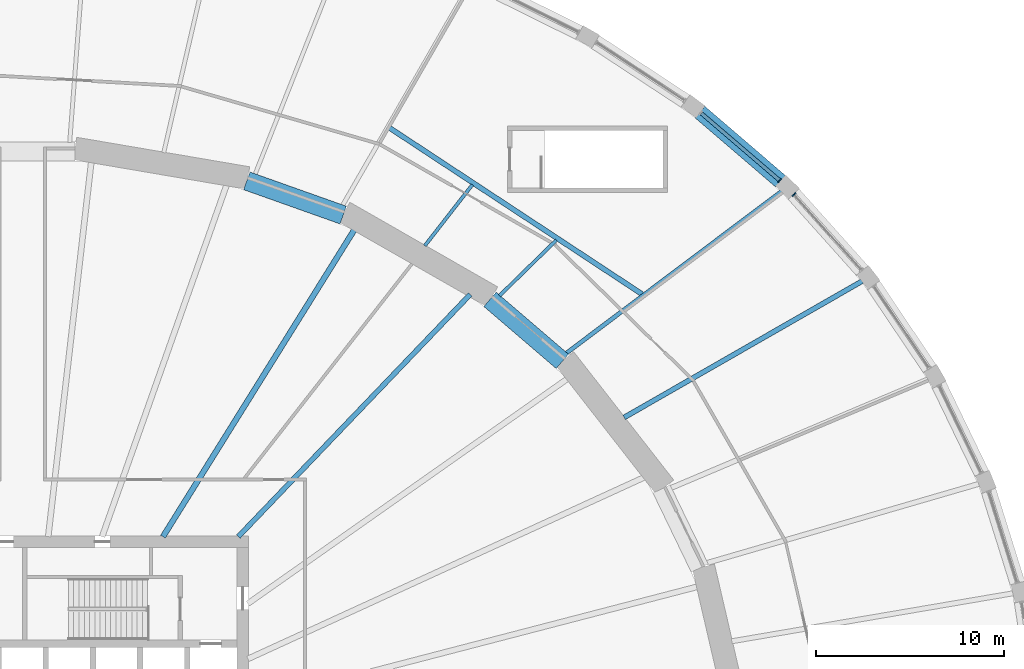
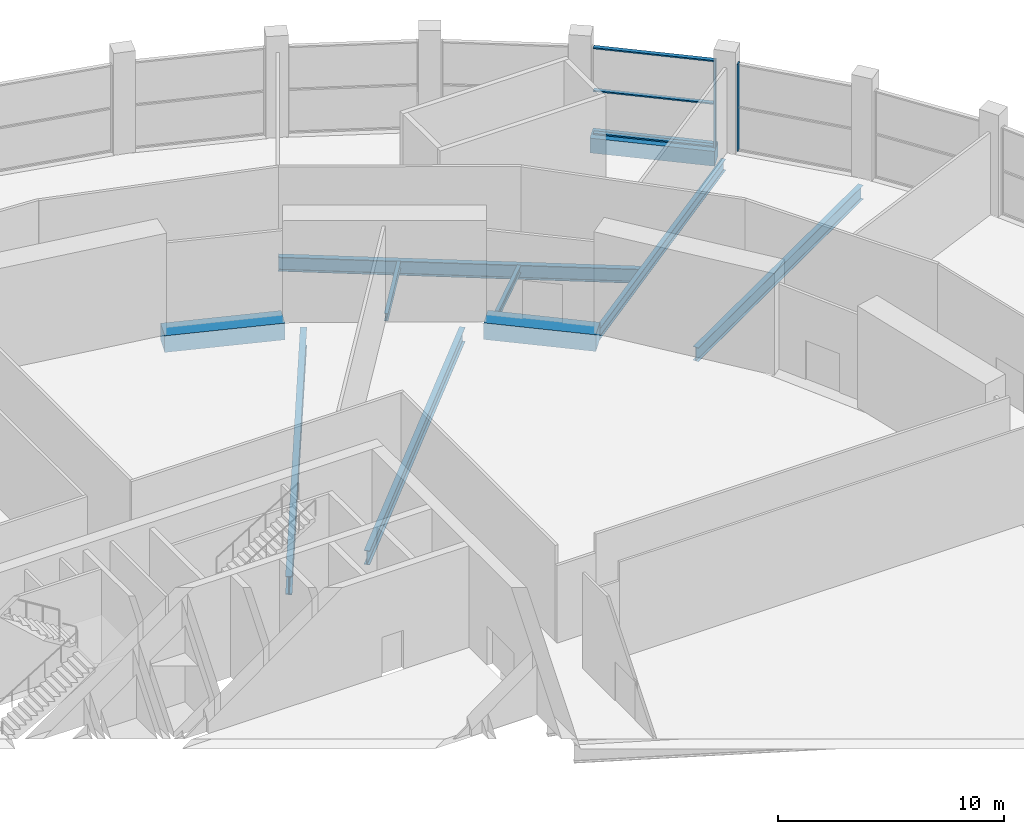
# One storey, part 15 of 26: 10 beams, 5 members, 2 elements without a shape of their own.
"""IFC4 building model written with IfcOpenShell, lengths in metres."""

from ifc_helpers import new_model, si_unit, direction, frame, origin, origin_2d, place, context, subcontext, project, spatial, rectangle, i_section, extrude, material, material_profile, profile_set, type_object, element, aggregate, save


model = new_model("IFC4")

# Units and contexts
model_context = context("Model", 3, precision=1e-05, world=origin(), true_north=direction((0.0, 1.0)))
body_context = subcontext(model_context, "Body", "Model", "MODEL_VIEW")
ifc_project = project(units=[si_unit("LENGTHUNIT", "METRE"), si_unit("AREAUNIT", "SQUARE_METRE"), si_unit("VOLUMEUNIT", "CUBIC_METRE"), si_unit("PLANEANGLEUNIT", "RADIAN"), si_unit("MASSUNIT", "GRAM", prefix="KILO")], contexts=[model_context])

# Site, building, storey
site_placement = place(None, origin())
site = spatial("IfcSite", under=ifc_project, at=site_placement, CompositionType="ELEMENT")
building_placement = place(site_placement, origin())
building = spatial("IfcBuilding", under=site, at=building_placement, Name="Halqa Exchange Tower", CompositionType="ELEMENT")
storey_placement = place(building_placement, frame((0.0, 0.0, 18.0)))
storey = spatial("IfcBuildingStorey", under=building, at=storey_placement, Name="L03", CompositionType="ELEMENT", Elevation=18.0)

# Curtain wall, member
ifc_material_1 = material(Name="Anodised aluminium and clear glass", Category="aluminium")
curtain_wall_type = type_object("IfcCurtainWallType", Name="Exchange hall glazing", PredefinedType="NOTDEFINED", material=ifc_material_1)
curtain_wall_1_placement = place(storey_placement, origin())
curtain_wall_1 = element("IfcCurtainWall", 1, at=curtain_wall_1_placement, inside=storey, type_object=curtain_wall_type, Name="Exchange hall glazing run P5", PredefinedType="NOTDEFINED")
ifc_material_2 = material(Name="Anodised aluminium", Category="aluminium")
ifc_material_profile_1 = material_profile(ifc_material_2, rectangle(XDim=0.25, YDim=0.070068359375, at=origin_2d()), Name="AL 70x250")
ifc_profile_set_1 = profile_set([ifc_material_profile_1], Name="Anodised aluminium")
member_type_1 = type_object("IfcMemberType", Name="Exchange hall glazing mullion 70 x 250", PredefinedType="MULLION", material=ifc_profile_set_1)
member_1_placement = place(storey_placement, frame((40.9560546875, 30.12890625, 0.0), z_axis=(0.0, 0.0, 1.0), x_axis=(-0.74514769466, -0.666899477539, 0.0)))
member_1 = element("IfcMember", 2, at=member_1_placement, type_object=member_type_1, Name="P5 mullion 2", PredefinedType="MULLION", context=body_context, shape_type="SweptSolid", body=[
    extrude(rectangle(XDim=0.25, YDim=0.070068359375, at=origin_2d()), origin(), (0.0, 0.0, 1.0), 4.699951171875),
])
aggregate(curtain_wall_1, [member_1])

# Curtain wall, members
curtain_wall_2_placement = place(storey_placement, origin())
curtain_wall_2 = element("IfcCurtainWall", 3, at=curtain_wall_2_placement, inside=storey, type_object=curtain_wall_type, Name="Exchange hall glazing run P6", PredefinedType="NOTDEFINED")
member_2_placement = place(storey_placement, frame((40.193115234375, 30.8759765625, 0.0), z_axis=(0.0, 0.0, 1.0), x_axis=(-0.650910929175, -0.759154109704, 0.0)))
member_2 = element("IfcMember", 4, at=member_2_placement, type_object=member_type_1, Name="P6 mullion 1", PredefinedType="MULLION", context=body_context, shape_type="SweptSolid", body=[
    extrude(rectangle(XDim=0.25, YDim=0.070068359375, at=origin_2d()), origin(), (0.0, 0.0, 1.0), 4.699951171875),
])
ifc_material_profile_2 = material_profile(ifc_material_2, rectangle(XDim=0.199951171875, YDim=0.070068359375, at=origin_2d()), Name="AL 70x200")
ifc_profile_set_2 = profile_set([ifc_material_profile_2], Name="Anodised aluminium")
member_type_2 = type_object("IfcMemberType", Name="Exchange hall glazing transom 70 x 200", PredefinedType="USERDEFINED", material=ifc_profile_set_2)
member_3_placement = place(storey_placement, frame((40.16650390625, 30.898681640625, 0.034912109375), z_axis=(-0.759142529619, 0.650924434727, 0.0), x_axis=(-0.650924434727, -0.759142529619, 0.0)))
member_3 = element("IfcMember", 5, at=member_3_placement, type_object=member_type_2, Name="P6 transom 1.1", ObjectType="TRANSOM", PredefinedType="USERDEFINED", context=body_context, shape_type="SweptSolid", body=[
    extrude(rectangle(XDim=0.199951171875, YDim=0.070068359375, at=origin_2d()), origin(), (0.0, 0.0, 1.0), 5.439208984375),
])
member_4_placement = place(storey_placement, frame((40.16650390625, 30.898681640625, 2.35009765625), z_axis=(-0.759142529619, 0.650924434727, 0.0), x_axis=(-0.650924434727, -0.759142529619, 0.0)))
member_4 = element("IfcMember", 6, at=member_4_placement, type_object=member_type_2, Name="P6 transom 1.2", ObjectType="TRANSOM", PredefinedType="USERDEFINED", context=body_context, shape_type="SweptSolid", body=[
    extrude(rectangle(XDim=0.199951171875, YDim=0.070068359375, at=origin_2d()), origin(), (0.0, 0.0, 1.0), 5.439208984375),
])
member_5_placement = place(storey_placement, frame((40.16650390625, 30.898681640625, 4.6650390625), z_axis=(-0.759142529619, 0.650924434727, 0.0), x_axis=(-0.650924434727, -0.759142529619, 0.0)))
member_5 = element("IfcMember", 7, at=member_5_placement, type_object=member_type_2, Name="P6 transom 1.3", ObjectType="TRANSOM", PredefinedType="USERDEFINED", context=body_context, shape_type="SweptSolid", body=[
    extrude(rectangle(XDim=0.199951171875, YDim=0.070068359375, at=origin_2d()), origin(), (0.0, 0.0, 1.0), 5.439208984375),
])
aggregate(curtain_wall_2, [member_2, member_3, member_4, member_5])

# Beams
ifc_material_3 = material(Name="Steel S355", Category="steel")
ifc_material_profile_3 = material_profile(ifc_material_3, i_section(OverallWidth=0.300048828125, OverallDepth=0.989990234375, WebThickness=0.0166015625, FlangeThickness=0.031005859375, FilletRadius=0.030029296875, at=origin_2d()), Name="HEA 1000")
ifc_profile_set_3 = profile_set([ifc_material_profile_3], Name="Steel S355")
beam_type_1 = type_object("IfcBeamType", Name="Floor beam HEA 1000", PredefinedType="BEAM", material=ifc_profile_set_3)
beam_1_placement = place(storey_placement, frame((7.46533203125, 11.971435546875, -0.844970703125), z_axis=(0.529145823441, 0.848530905468, 0.0), x_axis=(-0.848530905468, 0.529145823441, 0.0)))
element("IfcBeam", 8, at=beam_1_placement, inside=storey, type_object=beam_type_1, Name="Radial beam 6", PredefinedType="BEAM", context=body_context, shape_type="SweptSolid", body=[
    extrude(i_section(OverallWidth=0.300048828125, OverallDepth=0.989990234375, WebThickness=0.0166015625, FlangeThickness=0.031005859375, FilletRadius=0.030029296875, at=origin_2d()), origin(), (0.0, 0.0, 1.0), 19.27294921875),
])
ifc_material_profile_4 = material_profile(ifc_material_3, i_section(OverallWidth=0.179931640625, OverallDepth=0.39990234375, WebThickness=0.008544921875, FlangeThickness=0.013427734375, FilletRadius=0.02099609375, at=origin_2d()), Name="IPE 400")
ifc_profile_set_4 = profile_set([ifc_material_profile_4], Name="Steel S355")
beam_type_2 = type_object("IfcBeamType", Name="Floor beam IPE 400", PredefinedType="BEAM", material=ifc_profile_set_4)
beam_2_placement = place(storey_placement, frame((25.322265625, 24.757080078125, -0.550048828125), z_axis=(0.715007310884, 0.699116975464, 0.0), x_axis=(-0.699116975464, 0.715007310884, 0.0)))
element("IfcBeam", 9, at=beam_2_placement, inside=storey, type_object=beam_type_2, Name="Radial beam 7a", PredefinedType="BEAM", context=body_context, shape_type="SweptSolid", body=[
    extrude(i_section(OverallWidth=0.179931640625, OverallDepth=0.39990234375, WebThickness=0.008544921875, FlangeThickness=0.013427734375, FilletRadius=0.02099609375, at=origin_2d()), origin(), (0.0, 0.0, 1.0), 4.22509765625),
])
beam_3_placement = place(storey_placement, frame((21.3603515625, 27.40966796875, -0.550048828125), z_axis=(0.614706293657, 0.788756091919, 0.0), x_axis=(-0.788756091919, 0.614706293657, 0.0)))
element("IfcBeam", 10, at=beam_3_placement, inside=storey, type_object=beam_type_2, Name="Radial beam 8a", PredefinedType="BEAM", context=body_context, shape_type="SweptSolid", body=[
    extrude(i_section(OverallWidth=0.179931640625, OverallDepth=0.39990234375, WebThickness=0.008544921875, FlangeThickness=0.013427734375, FilletRadius=0.02099609375, at=origin_2d()), origin(), (0.0, 0.0, 1.0), 4.104248046875),
])
ifc_material_profile_5 = material_profile(ifc_material_3, i_section(OverallWidth=0.219970703125, OverallDepth=0.60009765625, WebThickness=0.011962890625, FlangeThickness=0.01904296875, FilletRadius=0.02392578125, at=origin_2d()), Name="IPE 600")
ifc_profile_set_5 = profile_set([ifc_material_profile_5], Name="Steel S355")
beam_type_3 = type_object("IfcBeamType", Name="Floor beam IPE 600", PredefinedType="BEAM", material=ifc_profile_set_5)
beam_4_placement = place(storey_placement, frame((28.875732421875, 21.71240234375, -0.64990234375), z_axis=(0.799257291391, 0.600989003359, 0.0), x_axis=(-0.600989003359, 0.799257291391, 0.0)))
element("IfcBeam", 11, at=beam_4_placement, inside=storey, type_object=beam_type_3, Name="Radial beam 6", PredefinedType="BEAM", context=body_context, shape_type="SweptSolid", body=[
    extrude(i_section(OverallWidth=0.219970703125, OverallDepth=0.60009765625, WebThickness=0.011962890625, FlangeThickness=0.01904296875, FilletRadius=0.02392578125, at=origin_2d()), origin(), (0.0, 0.0, 1.0), 14.291259765625),
])
ifc_material_profile_6 = material_profile(ifc_material_3, i_section(OverallWidth=0.264892578125, OverallDepth=0.7529296875, WebThickness=0.01318359375, FlangeThickness=0.01708984375, FilletRadius=0.01708984375, at=origin_2d()), Name="IPE 750x147")
ifc_profile_set_6 = profile_set([ifc_material_profile_6], Name="Steel S355")
beam_type_4 = type_object("IfcBeamType", Name="Floor beam IPE 750x147", PredefinedType="BEAM", material=ifc_profile_set_6)
beam_5_placement = place(storey_placement, frame((31.942626953125, 18.300048828125, -0.7265625), z_axis=(0.867691436398, 0.497103179633, 0.0), x_axis=(-0.497103179633, 0.867691436398, 0.0)))
element("IfcBeam", 12, at=beam_5_placement, inside=storey, type_object=beam_type_4, Name="Radial beam 5", PredefinedType="BEAM", context=body_context, shape_type="SweptSolid", body=[
    extrude(i_section(OverallWidth=0.264892578125, OverallDepth=0.7529296875, WebThickness=0.01318359375, FlangeThickness=0.01708984375, FilletRadius=0.01708984375, at=origin_2d()), origin(), (0.0, 0.0, 1.0), 14.555908203125),
])
ifc_material_profile_7 = material_profile(ifc_material_3, i_section(OverallWidth=0.26806640625, OverallDepth=0.77001953125, WebThickness=0.015625, FlangeThickness=0.025390625, FilletRadius=0.01708984375, at=origin_2d()), Name="IPE 750x196")
ifc_profile_set_7 = profile_set([ifc_material_profile_7], Name="Steel S355")
beam_type_5 = type_object("IfcBeamType", Name="Floor beam IPE 750x196", PredefinedType="BEAM", material=ifc_profile_set_7)
beam_6_placement = place(storey_placement, frame((11.46240234375, 11.9716796875, -0.735107421875), z_axis=(0.6915763718, 0.722303344841, 0.0), x_axis=(-0.722303344841, 0.6915763718, 0.0)))
element("IfcBeam", 13, at=beam_6_placement, inside=storey, type_object=beam_type_5, Name="Radial beam 5", PredefinedType="BEAM", context=body_context, shape_type="SweptSolid", body=[
    extrude(i_section(OverallWidth=0.26806640625, OverallDepth=0.77001953125, WebThickness=0.015625, FlangeThickness=0.025390625, FilletRadius=0.01708984375, at=origin_2d()), origin(), (0.0, 0.0, 1.0), 17.7978515625),
])
beam_7_placement = place(storey_placement, frame((32.896728515625, 24.839599609375, -0.735107421875), z_axis=(-0.835204203593, 0.54993994063, 0.0), x_axis=(-0.54993994063, -0.835204203593, 0.0)))
element("IfcBeam", 14, at=beam_7_placement, inside=storey, type_object=beam_type_5, Name="Radial beam TPS1-in", PredefinedType="BEAM", context=body_context, shape_type="SweptSolid", body=[
    extrude(i_section(OverallWidth=0.26806640625, OverallDepth=0.77001953125, WebThickness=0.015625, FlangeThickness=0.025390625, FilletRadius=0.01708984375, at=origin_2d()), origin(), (0.0, 0.0, 1.0), 16.07958984375),
])
ifc_material_4 = material(Name="Concrete C60/75", Category="concrete")
ifc_material_profile_8 = material_profile(ifc_material_4, rectangle(XDim=0.800048828125, YDim=0.800048828125, at=origin_2d()), Name="800 x 800")
ifc_profile_set_8 = profile_set([ifc_material_profile_8], Name="Concrete C60/75")
beam_type_6 = type_object("IfcBeamType", Name="RC podium edge beam 800 x 800 C60/75", PredefinedType="SPANDREL", material=ifc_profile_set_8)
beam_8_placement = place(storey_placement, frame((40.240478515625, 30.83544921875, -0.39990234375), z_axis=(-0.759174010844, 0.650887717859, 0.0), x_axis=(-0.650887717859, -0.759174010844, 0.0)))
element("IfcBeam", 15, at=beam_8_placement, inside=storey, type_object=beam_type_6, Name="Podium edge beam 6", PredefinedType="SPANDREL", context=body_context, shape_type="SweptSolid", body=[
    extrude(rectangle(XDim=0.800048828125, YDim=0.800048828125, at=origin_2d()), origin(), (0.0, 0.0, 1.0), 5.63427734375),
])
ifc_material_profile_9 = material_profile(ifc_material_4, rectangle(XDim=1.0, YDim=0.89990234375, at=origin_2d()), Name="1000 x 900")
ifc_profile_set_9 = profile_set([ifc_material_profile_9], Name="Concrete C60/75")
beam_type_7 = type_object("IfcBeamType", Name="RC spandrel beam 1000 x 900 C60/75", PredefinedType="SPANDREL", material=ifc_profile_set_9)
beam_9_placement = place(storey_placement, frame((28.659423828125, 21.27587890625, -0.449951171875), z_axis=(-0.759263417999, 0.650783421799, 0.0), x_axis=(-0.650783421799, -0.759263417999, 0.0)))
element("IfcBeam", 16, at=beam_9_placement, inside=storey, type_object=beam_type_7, Name="Spandrel 4", PredefinedType="SPANDREL", context=body_context, shape_type="SweptSolid", body=[
    extrude(rectangle(XDim=1.0, YDim=0.89990234375, at=origin_2d()), origin(), (0.0, 0.0, 1.0), 5.056884765625),
])
beam_10_placement = place(storey_placement, frame((17.030029296875, 29.038818359375, -0.449951171875), z_axis=(-0.942357788657, 0.334606930826, 0.0), x_axis=(-0.334606930826, -0.942357788657, 0.0)))
element("IfcBeam", 17, at=beam_10_placement, inside=storey, type_object=beam_type_7, Name="Spandrel 6", PredefinedType="SPANDREL", context=body_context, shape_type="SweptSolid", body=[
    extrude(rectangle(XDim=1.0, YDim=0.89990234375, at=origin_2d()), origin(), (0.0, 0.0, 1.0), 5.429931640625),
])

save(model, "model.ifc")
